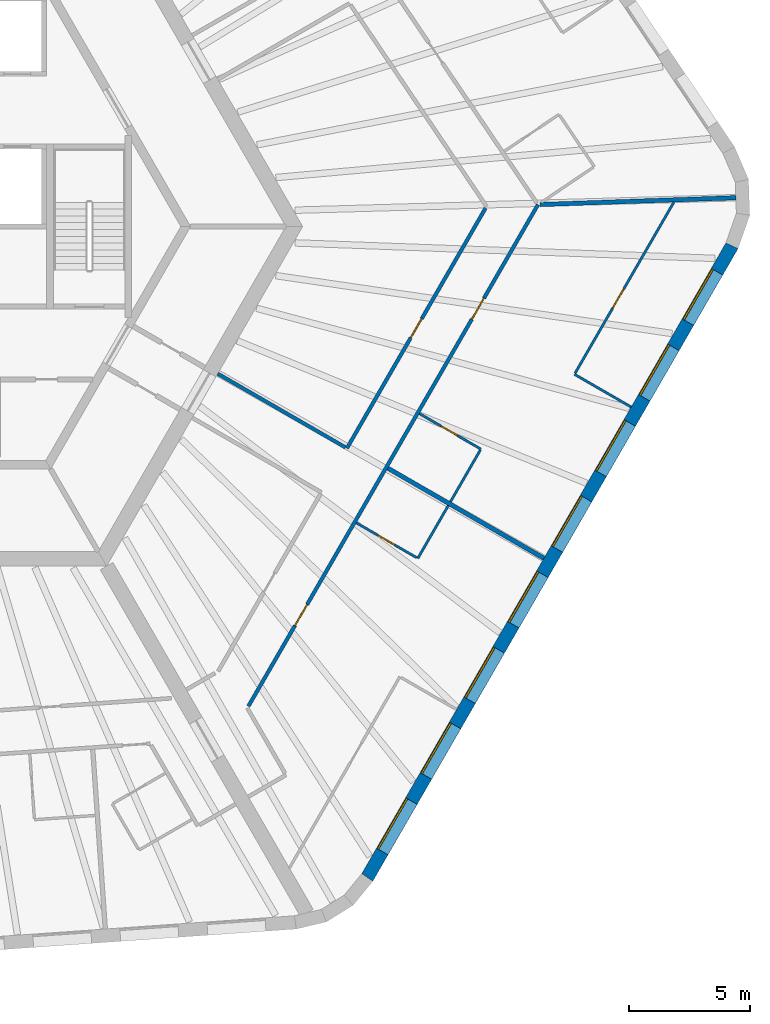
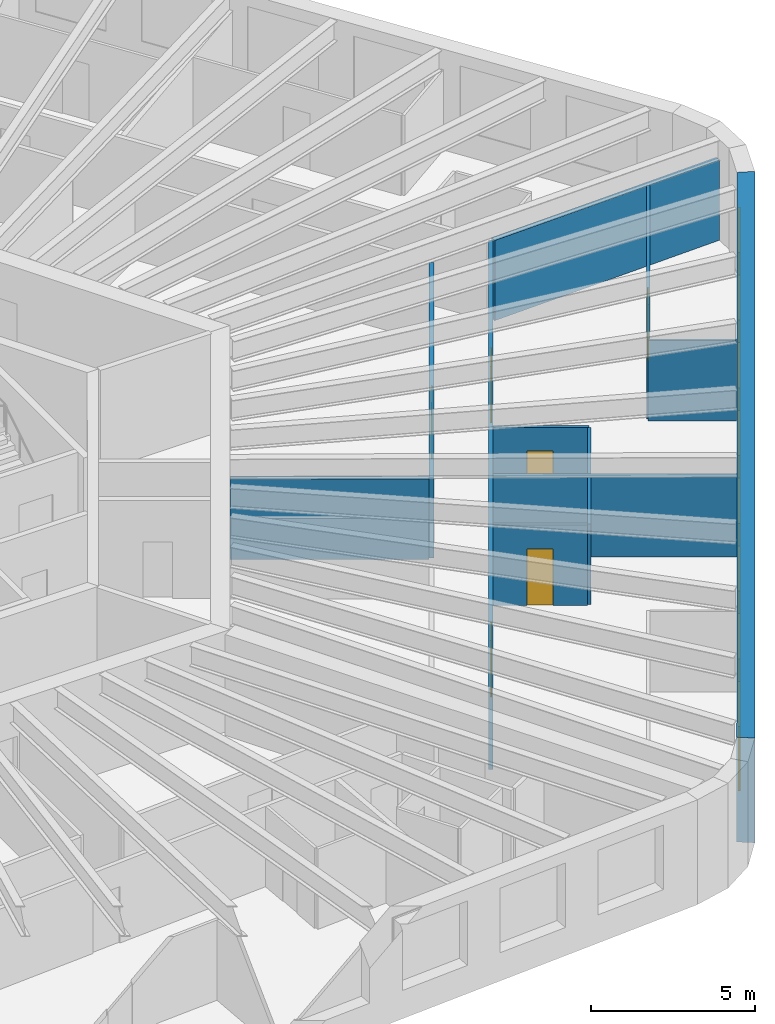
# One storey, part 6 of 12: 12 walls, 8 windows, 6 doors, 14 openings.
"""IFC4 building model written with IfcOpenShell, lengths in metres."""

from ifc_helpers import new_model, si_unit, direction, frame, frame_2d, origin, place, context, subcontext, project, spatial, polyline, rectangle, outline, extrude, material, layer, layer_set, type_object, element, fill, save


model = new_model("IFC4")

# Units and contexts
model_context = context("Model", 3, precision=1e-05, world=origin(), true_north=direction((0.0, 1.0)))
body_context = subcontext(model_context, "Body", "Model", "MODEL_VIEW")
ifc_project = project(units=[si_unit("LENGTHUNIT", "METRE"), si_unit("AREAUNIT", "SQUARE_METRE"), si_unit("VOLUMEUNIT", "CUBIC_METRE"), si_unit("PLANEANGLEUNIT", "RADIAN"), si_unit("MASSUNIT", "GRAM", prefix="KILO")], contexts=[model_context])

# Site, building, storey
site_placement = place(None, origin())
site = spatial("IfcSite", under=ifc_project, at=site_placement, CompositionType="ELEMENT")
building_placement = place(site_placement, origin())
building = spatial("IfcBuilding", under=site, at=building_placement, Name="Tarnside Tower", CompositionType="ELEMENT")
storey_placement = place(building_placement, frame((0.0, 0.0, 119.39990234375)))
storey = spatial("IfcBuildingStorey", under=building, at=storey_placement, Name="L27", CompositionType="ELEMENT", Elevation=119.39990234375)

# Wall
ifc_material_1 = material(Name="Gypsum board partition on steel studs", Category="steel")
ifc_layer_1 = layer(ifc_material_1, 0.10009765625)
ifc_layer_set_1 = layer_set([ifc_layer_1], Name="Bathroom wall 100")
wall_type_1 = type_object("IfcWallType", Name="Bathroom wall 100", PredefinedType="PARTITIONING", material=ifc_layer_set_1)
wall_1_placement = place(storey_placement, frame((22.16796875, -11.504150390625, 0.0), z_axis=(0.0, 0.0, 1.0), x_axis=(-0.50001992892, -0.866013897511, 0.0)))
element("IfcWall", 1, at=wall_1_placement, inside=storey, type_object=wall_type_1, Name="Bathroom wall 08125", PredefinedType="PARTITIONING", context=body_context, shape_type="SweptSolid", body=[
    extrude(rectangle(XDim=2.51025390625, YDim=0.10009765625, at=frame_2d((1.255126953125, 0.0))), origin(), (0.0, 0.0, 1.0), 2.98779296875),
])

# Wall, opening, door
wall_2_placement = place(storey_placement, frame((20.86962890625, -13.65283203125, 0.0), z_axis=(0.0, 0.0, 1.0), x_axis=(-0.866039941686, 0.499974818771, 0.0)))
wall_2 = element("IfcWall", 2, at=wall_2_placement, inside=storey, type_object=wall_type_1, Name="Bathroom wall 08126", PredefinedType="PARTITIONING", context=body_context, shape_type="SweptSolid", body=[
    extrude(rectangle(XDim=2.875244140625, YDim=0.10009765625, at=frame_2d((1.4375, 0.0))), origin(), (0.0, 0.0, 1.0), 2.98779296875),
])
opening_1_placement = place(wall_2_placement, frame((1.050048828125, 0.0, 0.0)))
opening_1 = element("IfcOpeningElement", 3, at=opening_1_placement, cuts=wall_2, Name="Opening D-B1", PredefinedType="OPENING", context=body_context, shape_type="SweptSolid", body=[
    extrude(rectangle(XDim=0.800048828125, YDim=2.10009765625, at=frame_2d((0.39990234375, 1.050048828125))), frame((0.0, 0.06005859375, 0.0), z_axis=(0.0, -1.0, 0.0), x_axis=(1.0, 0.0, 0.0)), (0.0, 0.0, 1.0), 0.1201171875),
])
ifc_material_2 = material(Name="Timber door leaf", Category="wood")
door_type_1 = type_object("IfcDoorType", Name="Bathroom door 800", OperationType="NOTDEFINED", PredefinedType="DOOR", material=ifc_material_2)
door_1_placement = place(opening_1_placement, origin())
door_1 = element("IfcDoor", 4, at=door_1_placement, inside=storey, type_object=door_type_1, Name="Bathroom door 08029", OperationType="SINGLE_SWING_RIGHT", OverallHeight=2.10009765625, OverallWidth=0.800048828125, PredefinedType="DOOR", context=body_context, shape_type="SweptSolid", body=[
    extrude(rectangle(XDim=0.800048828125, YDim=2.10009765625, at=frame_2d((0.39990234375, 1.050048828125))), frame((0.0, 0.02490234375, 0.0), z_axis=(0.0, -1.0, 0.0), x_axis=(1.0, 0.0, 0.0)), (0.0, 0.0, 1.0), 0.050048828125),
])
fill(opening_1, door_1)

wall_3_placement = place(storey_placement, frame((20.979736328125, -7.7119140625, 0.0), z_axis=(0.0, 0.0, 1.0), x_axis=(0.86601045545, -0.500025890382, 0.0)))
wall_3 = element("IfcWall", 5, at=wall_3_placement, inside=storey, type_object=wall_type_1, Name="Bathroom wall 08131", PredefinedType="PARTITIONING", context=body_context, shape_type="SweptSolid", body=[
    extrude(rectangle(XDim=2.925048828125, YDim=0.10009765625, at=frame_2d((1.46240234375, 0.0))), origin(), (0.0, 0.0, 1.0), 2.98779296875),
])
opening_2_placement = place(wall_3_placement, frame((1.02490234375, 0.0, 0.0)))
opening_2 = element("IfcOpeningElement", 6, at=opening_2_placement, cuts=wall_3, Name="Opening D-B1", PredefinedType="OPENING", context=body_context, shape_type="SweptSolid", body=[
    extrude(rectangle(XDim=0.800048828125, YDim=2.10009765625, at=frame_2d((0.39990234375, 1.050048828125))), frame((0.0, 0.06005859375, 0.0), z_axis=(0.0, -1.0, 0.0), x_axis=(1.0, 0.0, 0.0)), (0.0, 0.0, 1.0), 0.1201171875),
])
door_2_placement = place(opening_2_placement, origin())
door_2 = element("IfcDoor", 7, at=door_2_placement, inside=storey, type_object=door_type_1, Name="Bathroom door 08032", OperationType="SINGLE_SWING_RIGHT", OverallHeight=2.10009765625, OverallWidth=0.800048828125, PredefinedType="DOOR", context=body_context, shape_type="SweptSolid", body=[
    extrude(rectangle(XDim=0.800048828125, YDim=2.10009765625, at=frame_2d((0.39990234375, 1.050048828125))), frame((0.0, 0.02490234375, 0.0), z_axis=(0.0, -1.0, 0.0), x_axis=(1.0, 0.0, 0.0)), (0.0, 0.0, 1.0), 0.050048828125),
])
fill(opening_2, door_2)

# Wall
wall_4_placement = place(storey_placement, frame((23.48779296875, -9.2177734375, 0.0), z_axis=(0.0, 0.0, 1.0), x_axis=(-0.500003092839, -0.866023618125, 0.0)))
element("IfcWall", 8, at=wall_4_placement, inside=storey, type_object=wall_type_1, Name="Bathroom wall 08132", PredefinedType="PARTITIONING", context=body_context, shape_type="SweptSolid", body=[
    extrude(rectangle(XDim=2.4599609375, YDim=0.10009765625, at=frame_2d((1.22998046875, 0.0))), origin(), (0.0, 0.0, 1.0), 2.98779296875),
])

# Wall, openings, doors
ifc_layer_2 = layer(ifc_material_1, 0.14990234375)
ifc_layer_set_2 = layer_set([ifc_layer_2], Name="Corridor wall 150 EI 60")
wall_type_2 = type_object("IfcWallType", Name="Corridor wall 150 EI 60", PredefinedType="PARTITIONING", material=ifc_layer_set_2)
wall_5_placement = place(storey_placement, frame((13.928466796875, -19.77490234375, 0.0), z_axis=(0.0, 0.0, 1.0), x_axis=(0.50000450071, 0.866022805283, 0.0)))
wall_5 = element("IfcWall", 9, at=wall_5_placement, inside=storey, type_object=wall_type_2, Name="Corridor wall 08052", PredefinedType="PARTITIONING", context=body_context, shape_type="SweptSolid", body=[
    extrude(rectangle(XDim=23.877197265625, YDim=0.14990234375, at=frame_2d((11.9384765625, 0.0))), origin(), (0.0, 0.0, 1.0), 2.98779296875),
])
opening_3_placement = place(wall_5_placement, frame((3.843017578125, 0.0, 0.0)))
opening_3 = element("IfcOpeningElement", 10, at=opening_3_placement, cuts=wall_5, Name="Opening D-E1", PredefinedType="OPENING", context=body_context, shape_type="SweptSolid", body=[
    extrude(rectangle(XDim=1.0, YDim=2.10009765625, at=frame_2d((0.5, 1.050048828125))), frame((0.0, 0.0849609375, 0.0), z_axis=(0.0, -1.0, 0.0), x_axis=(1.0, 0.0, 0.0)), (0.0, 0.0, 1.0), 0.169921875),
])
opening_4_placement = place(wall_5_placement, frame((18.4248046875, 0.0, 0.0)))
opening_4 = element("IfcOpeningElement", 11, at=opening_4_placement, cuts=wall_5, Name="Opening D-E1", PredefinedType="OPENING", context=body_context, shape_type="SweptSolid", body=[
    extrude(rectangle(XDim=1.0, YDim=2.10009765625, at=frame_2d((0.5, 1.050048828125))), frame((0.0, 0.0849609375, 0.0), z_axis=(0.0, -1.0, 0.0), x_axis=(1.0, 0.0, 0.0)), (0.0, 0.0, 1.0), 0.169921875),
])
door_type_2 = type_object("IfcDoorType", Name="Unit entrance door 1000 FD30S", OperationType="NOTDEFINED", PredefinedType="DOOR", material=ifc_material_2)
door_3_placement = place(opening_3_placement, origin())
door_3 = element("IfcDoor", 12, at=door_3_placement, inside=storey, type_object=door_type_2, Name="Unit door 08028", OperationType="SINGLE_SWING_RIGHT", OverallHeight=2.10009765625, OverallWidth=1.0, PredefinedType="DOOR", context=body_context, shape_type="SweptSolid", body=[
    extrude(rectangle(XDim=1.0, YDim=2.10009765625, at=frame_2d((0.5, 1.050048828125))), frame((0.0, 0.02490234375, 0.0), z_axis=(0.0, -1.0, 0.0), x_axis=(1.0, 0.0, 0.0)), (0.0, 0.0, 1.0), 0.050048828125),
])
fill(opening_3, door_3)
door_4_placement = place(opening_4_placement, origin())
door_4 = element("IfcDoor", 13, at=door_4_placement, inside=storey, type_object=door_type_2, Name="Unit door 08031", OperationType="SINGLE_SWING_RIGHT", OverallHeight=2.10009765625, OverallWidth=1.0, PredefinedType="DOOR", context=body_context, shape_type="SweptSolid", body=[
    extrude(rectangle(XDim=1.0, YDim=2.10009765625, at=frame_2d((0.5, 1.050048828125))), frame((0.0, 0.02490234375, 0.0), z_axis=(0.0, -1.0, 0.0), x_axis=(1.0, 0.0, 0.0)), (0.0, 0.0, 1.0), 0.050048828125),
])
fill(opening_4, door_4)

# Wall, opening, door
wall_6_placement = place(storey_placement, frame((23.704345703125, 0.757080078125, 0.0), z_axis=(0.0, 0.0, 1.0), x_axis=(-0.500010297365, -0.866019458516, 0.0)))
wall_6 = element("IfcWall", 14, at=wall_6_placement, inside=storey, type_object=wall_type_2, Name="Corridor wall 08064", PredefinedType="PARTITIONING", context=body_context, shape_type="SweptSolid", body=[
    extrude(rectangle(XDim=11.428955078125, YDim=0.14990234375, at=frame_2d((5.71435546875, 0.0))), origin(), (0.0, 0.0, 1.0), 2.98779296875),
])
opening_5_placement = place(wall_6_placement, frame((5.264404296875, 0.0, 0.0)))
opening_5 = element("IfcOpeningElement", 15, at=opening_5_placement, cuts=wall_6, Name="Opening D-S1", PredefinedType="OPENING", context=body_context, shape_type="SweptSolid", body=[
    extrude(rectangle(XDim=0.89990234375, YDim=2.10009765625, at=frame_2d((0.449951171875, 1.050048828125))), frame((0.0, 0.0849609375, 0.0), z_axis=(0.0, -1.0, 0.0), x_axis=(1.0, 0.0, 0.0)), (0.0, 0.0, 1.0), 0.169921875),
])
door_type_3 = type_object("IfcDoorType", Name="Service room door 900 FD30S", OperationType="NOTDEFINED", PredefinedType="DOOR", material=ifc_material_2)
door_5_placement = place(opening_5_placement, origin())
door_5 = element("IfcDoor", 16, at=door_5_placement, inside=storey, type_object=door_type_3, Name="Service door 08046", OperationType="SINGLE_SWING_LEFT", OverallHeight=2.10009765625, OverallWidth=0.89990234375, PredefinedType="DOOR", context=body_context, shape_type="SweptSolid", body=[
    extrude(rectangle(XDim=0.89990234375, YDim=2.10009765625, at=frame_2d((0.449951171875, 1.050048828125))), frame((0.0, 0.02490234375, 0.0), z_axis=(0.0, -1.0, 0.0), x_axis=(1.0, 0.0, 0.0)), (0.0, 0.0, 1.0), 0.050048828125),
])
fill(opening_5, door_5)

# Walls
wall_7_placement = place(storey_placement, frame((17.9248046875, -9.103271484375, 0.0), z_axis=(0.0, 0.0, 1.0), x_axis=(-0.866013586754, 0.500020467139, 0.0)))
element("IfcWall", 17, at=wall_7_placement, inside=storey, type_object=wall_type_2, Name="Corridor wall 08065", PredefinedType="PARTITIONING", context=body_context, shape_type="SweptSolid", body=[
    extrude(rectangle(XDim=6.074951171875, YDim=0.14990234375, at=frame_2d((3.03759765625, 0.0))), origin(), (0.0, 0.0, 1.0), 2.98779296875),
])
ifc_layer_3 = layer(ifc_material_1, 0.179931640625)
ifc_layer_set_3 = layer_set([ifc_layer_3], Name="Demising wall 180 EI 60")
wall_type_3 = type_object("IfcWallType", Name="Demising wall 180 EI 60", PredefinedType="PARTITIONING", material=ifc_layer_set_3)
wall_8_placement = place(storey_placement, frame((26.10986328125, -13.67626953125, 0.0), z_axis=(0.0, 0.0, 1.0), x_axis=(-0.866014745021, 0.500018461065, 0.0)))
element("IfcWall", 18, at=wall_8_placement, inside=storey, type_object=wall_type_3, Name="Demising wall 08129", PredefinedType="PARTITIONING", context=body_context, shape_type="SweptSolid", body=[
    extrude(rectangle(XDim=7.425048828125, YDim=0.179931640625, at=frame_2d((3.71240234375, 0.0))), origin(), (0.0, 0.0, 1.0), 2.98779296875),
])
wall_9_placement = place(storey_placement, frame((34.0234375, 1.188232421875, 0.0), z_axis=(0.0, 0.0, 1.0), x_axis=(-0.999390818315, -0.03489974594, 0.0)))
element("IfcWall", 19, at=wall_9_placement, inside=storey, type_object=wall_type_3, Name="Demising wall 08135", PredefinedType="PARTITIONING", context=body_context, shape_type="SweptSolid", body=[
    extrude(rectangle(XDim=8.07275390625, YDim=0.179931640625, at=frame_2d((4.036376953125, 0.0))), origin(), (0.0, 0.0, 1.0), 2.98779296875),
])
ifc_layer_4 = layer(ifc_material_1, 0.10009765625)
ifc_layer_set_4 = layer_set([ifc_layer_4], Name="Partition 100")
wall_type_4 = type_object("IfcWallType", Name="Partition 100", PredefinedType="PARTITIONING", material=ifc_layer_set_4)
wall_10_placement = place(storey_placement, frame((29.7099609375, -7.44091796875, 0.0), z_axis=(0.0, 0.0, 1.0), x_axis=(-0.86599734893, 0.500048589285, 0.0)))
element("IfcWall", 20, at=wall_10_placement, inside=storey, type_object=wall_type_4, Name="Partition wall 08133", PredefinedType="PARTITIONING", context=body_context, shape_type="SweptSolid", body=[
    extrude(rectangle(XDim=2.699951171875, YDim=0.10009765625, at=frame_2d((1.35009765625, 0.0))), origin(), (0.0, 0.0, 1.0), 2.98779296875),
])

# Wall, opening, door
wall_11_placement = place(storey_placement, frame((27.396728515625, -6.047607421875, 0.0), z_axis=(0.0, 0.0, 1.0), x_axis=(0.49998354646, 0.866034903032, 0.0)))
wall_11 = element("IfcWall", 21, at=wall_11_placement, inside=storey, type_object=wall_type_4, Name="Partition wall 08134", PredefinedType="PARTITIONING", context=body_context, shape_type="SweptSolid", body=[
    extrude(rectangle(XDim=8.148193359375, YDim=0.10009765625, at=frame_2d((4.07421875, 0.0))), origin(), (0.0, 0.0, 1.0), 2.98779296875),
])
opening_6_placement = place(wall_11_placement, frame((3.10009765625, 0.0, 0.0)))
opening_6 = element("IfcOpeningElement", 22, at=opening_6_placement, cuts=wall_11, Name="Opening D-I1", PredefinedType="OPENING", context=body_context, shape_type="SweptSolid", body=[
    extrude(rectangle(XDim=0.89990234375, YDim=2.10009765625, at=frame_2d((0.449951171875, 1.050048828125))), frame((0.0, 0.06005859375, 0.0), z_axis=(0.0, -1.0, 0.0), x_axis=(1.0, 0.0, 0.0)), (0.0, 0.0, 1.0), 0.1201171875),
])
door_type_4 = type_object("IfcDoorType", Name="Internal door 900", OperationType="NOTDEFINED", PredefinedType="DOOR", material=ifc_material_2)
door_6_placement = place(opening_6_placement, origin())
door_6 = element("IfcDoor", 23, at=door_6_placement, inside=storey, type_object=door_type_4, Name="Internal door 08033", OperationType="SINGLE_SWING_RIGHT", OverallHeight=2.10009765625, OverallWidth=0.89990234375, PredefinedType="DOOR", context=body_context, shape_type="SweptSolid", body=[
    extrude(rectangle(XDim=0.89990234375, YDim=2.10009765625, at=frame_2d((0.449951171875, 1.050048828125))), frame((0.0, 0.02490234375, 0.0), z_axis=(0.0, -1.0, 0.0), x_axis=(1.0, 0.0, 0.0)), (0.0, 0.0, 1.0), 0.050048828125),
])
fill(opening_6, door_6)

# Wall, openings, windows
ifc_material_3 = material(Name="Facing brick", Category="masonry")
ifc_layer_5 = layer(ifc_material_3, 0.10205078125)
ifc_material_4 = material(Name="Concrete C60/75 precast", Category="concrete")
ifc_layer_6 = layer(ifc_material_4, 0.347900390625)
ifc_material_5 = material(Name="Mineral wool insulation")
ifc_layer_7 = layer(ifc_material_5, 0.10009765625)
ifc_layer_set_5 = layer_set([ifc_layer_5, ifc_layer_6, ifc_layer_7], Name="Tube wall 550 brick faced")
wall_type_5 = type_object("IfcWallType", Name="Tube wall 550 brick faced", PredefinedType="SOLIDWALL", material=ifc_layer_set_5)
wall_12_placement = place(storey_placement, frame((18.830322265625, -26.834716796875, -0.14990234375), z_axis=(0.0, 0.0, 1.0), x_axis=(0.500003800416, 0.866023209602, 0.0)))
wall_12 = element("IfcWall", 24, at=wall_12_placement, inside=storey, type_object=wall_type_5, Name="Tube wall L27 F5 flush 16", PredefinedType="SOLIDWALL", context=body_context, shape_type="SweptSolid", body=[
    extrude(outline(polyline([(-0.0224609375, -0.27490234375), (30.0966796875, -0.27490234375), (30.04541015625, 0.27490234375), (0.0224609375, 0.27490234375), (-0.0224609375, -0.27490234375)])), origin(), (0.0, 0.0, 1.0), 3.89990234375),
])
opening_7_placement = place(wall_12_placement, frame((1.235595703125, 0.0, 1.050048828125)))
opening_7 = element("IfcOpeningElement", 25, at=opening_7_placement, cuts=wall_12, Name="Opening WH", PredefinedType="OPENING", context=body_context, shape_type="SweptSolid", body=[
    extrude(rectangle(XDim=2.39990234375, YDim=2.39990234375, at=frame_2d((1.199951171875, 1.199951171875))), frame((0.0, 0.28515625, 0.0), z_axis=(0.0, -1.0, 0.0), x_axis=(1.0, 0.0, 0.0)), (0.0, 0.0, 1.0), 0.570068359375),
])
opening_8_placement = place(wall_12_placement, frame((4.83544921875, 0.0, 1.050048828125)))
opening_8 = element("IfcOpeningElement", 26, at=opening_8_placement, cuts=wall_12, Name="Opening WH", PredefinedType="OPENING", context=body_context, shape_type="SweptSolid", body=[
    extrude(rectangle(XDim=2.39990234375, YDim=2.39990234375, at=frame_2d((1.199951171875, 1.199951171875))), frame((0.0, 0.28515625, 0.0), z_axis=(0.0, -1.0, 0.0), x_axis=(1.0, 0.0, 0.0)), (0.0, 0.0, 1.0), 0.570068359375),
])
opening_9_placement = place(wall_12_placement, frame((8.435546875, 0.0, 1.050048828125)))
opening_9 = element("IfcOpeningElement", 27, at=opening_9_placement, cuts=wall_12, Name="Opening WH", PredefinedType="OPENING", context=body_context, shape_type="SweptSolid", body=[
    extrude(rectangle(XDim=2.39990234375, YDim=2.39990234375, at=frame_2d((1.199951171875, 1.199951171875))), frame((0.0, 0.28515625, 0.0), z_axis=(0.0, -1.0, 0.0), x_axis=(1.0, 0.0, 0.0)), (0.0, 0.0, 1.0), 0.570068359375),
])
opening_10_placement = place(wall_12_placement, frame((12.035400390625, 0.0, 1.050048828125)))
opening_10 = element("IfcOpeningElement", 28, at=opening_10_placement, cuts=wall_12, Name="Opening WH", PredefinedType="OPENING", context=body_context, shape_type="SweptSolid", body=[
    extrude(rectangle(XDim=2.39990234375, YDim=2.39990234375, at=frame_2d((1.199951171875, 1.199951171875))), frame((0.0, 0.28515625, 0.0), z_axis=(0.0, -1.0, 0.0), x_axis=(1.0, 0.0, 0.0)), (0.0, 0.0, 1.0), 0.570068359375),
])
opening_11_placement = place(wall_12_placement, frame((15.635498046875, 0.0, 1.050048828125)))
opening_11 = element("IfcOpeningElement", 29, at=opening_11_placement, cuts=wall_12, Name="Opening WH", PredefinedType="OPENING", context=body_context, shape_type="SweptSolid", body=[
    extrude(rectangle(XDim=2.39990234375, YDim=2.39990234375, at=frame_2d((1.199951171875, 1.199951171875))), frame((0.0, 0.28515625, 0.0), z_axis=(0.0, -1.0, 0.0), x_axis=(1.0, 0.0, 0.0)), (0.0, 0.0, 1.0), 0.570068359375),
])
opening_12_placement = place(wall_12_placement, frame((19.235595703125, 0.0, 1.050048828125)))
opening_12 = element("IfcOpeningElement", 30, at=opening_12_placement, cuts=wall_12, Name="Opening WH", PredefinedType="OPENING", context=body_context, shape_type="SweptSolid", body=[
    extrude(rectangle(XDim=2.39990234375, YDim=2.39990234375, at=frame_2d((1.199951171875, 1.199951171875))), frame((0.0, 0.28515625, 0.0), z_axis=(0.0, -1.0, 0.0), x_axis=(1.0, 0.0, 0.0)), (0.0, 0.0, 1.0), 0.570068359375),
])
opening_13_placement = place(wall_12_placement, frame((22.83544921875, 0.0, 1.050048828125)))
opening_13 = element("IfcOpeningElement", 31, at=opening_13_placement, cuts=wall_12, Name="Opening WH", PredefinedType="OPENING", context=body_context, shape_type="SweptSolid", body=[
    extrude(rectangle(XDim=2.39990234375, YDim=2.39990234375, at=frame_2d((1.199951171875, 1.199951171875))), frame((0.0, 0.28515625, 0.0), z_axis=(0.0, -1.0, 0.0), x_axis=(1.0, 0.0, 0.0)), (0.0, 0.0, 1.0), 0.570068359375),
])
opening_14_placement = place(wall_12_placement, frame((26.435546875, 0.0, 1.050048828125)))
opening_14 = element("IfcOpeningElement", 32, at=opening_14_placement, cuts=wall_12, Name="Opening WH", PredefinedType="OPENING", context=body_context, shape_type="SweptSolid", body=[
    extrude(rectangle(XDim=2.39990234375, YDim=2.39990234375, at=frame_2d((1.199951171875, 1.199951171875))), frame((0.0, 0.28515625, 0.0), z_axis=(0.0, -1.0, 0.0), x_axis=(1.0, 0.0, 0.0)), (0.0, 0.0, 1.0), 0.570068359375),
])
ifc_material_6 = material(Name="Aluminium-framed double glazing", Category="aluminium")
window_type = type_object("IfcWindowType", Name="Hotel window 2400 x 2400", PartitioningType="DOUBLE_PANEL_VERTICAL", PredefinedType="WINDOW", material=ifc_material_6)
window_1_placement = place(opening_7_placement, frame((0.0, 0.205078125, 0.0)))
window_1 = element("IfcWindow", 33, at=window_1_placement, inside=storey, type_object=window_type, Name="E.WN.L27.F5.00", OverallHeight=2.39990234375, OverallWidth=2.39990234375, PartitioningType="DOUBLE_PANEL_VERTICAL", PredefinedType="WINDOW", context=body_context, shape_type="SweptSolid", body=[
    extrude(rectangle(XDim=2.39990234375, YDim=2.39990234375, at=frame_2d((1.199951171875, 1.199951171875))), frame((0.0, 0.030029296875, 0.0), z_axis=(0.0, -1.0, 0.0), x_axis=(1.0, 0.0, 0.0)), (0.0, 0.0, 1.0), 0.06005859375),
])
fill(opening_7, window_1)
window_2_placement = place(opening_8_placement, frame((0.0, 0.205078125, 0.0)))
window_2 = element("IfcWindow", 34, at=window_2_placement, inside=storey, type_object=window_type, Name="E.WN.L27.F5.01", OverallHeight=2.39990234375, OverallWidth=2.39990234375, PartitioningType="DOUBLE_PANEL_VERTICAL", PredefinedType="WINDOW", context=body_context, shape_type="SweptSolid", body=[
    extrude(rectangle(XDim=2.39990234375, YDim=2.39990234375, at=frame_2d((1.199951171875, 1.199951171875))), frame((0.0, 0.030029296875, 0.0), z_axis=(0.0, -1.0, 0.0), x_axis=(1.0, 0.0, 0.0)), (0.0, 0.0, 1.0), 0.06005859375),
])
fill(opening_8, window_2)
window_3_placement = place(opening_9_placement, frame((0.0, 0.205078125, 0.0)))
window_3 = element("IfcWindow", 35, at=window_3_placement, inside=storey, type_object=window_type, Name="E.WN.L27.F5.02", OverallHeight=2.39990234375, OverallWidth=2.39990234375, PartitioningType="DOUBLE_PANEL_VERTICAL", PredefinedType="WINDOW", context=body_context, shape_type="SweptSolid", body=[
    extrude(rectangle(XDim=2.39990234375, YDim=2.39990234375, at=frame_2d((1.199951171875, 1.199951171875))), frame((0.0, 0.030029296875, 0.0), z_axis=(0.0, -1.0, 0.0), x_axis=(1.0, 0.0, 0.0)), (0.0, 0.0, 1.0), 0.06005859375),
])
fill(opening_9, window_3)
window_4_placement = place(opening_10_placement, frame((0.0, 0.205078125, 0.0)))
window_4 = element("IfcWindow", 36, at=window_4_placement, inside=storey, type_object=window_type, Name="E.WN.L27.F5.03", OverallHeight=2.39990234375, OverallWidth=2.39990234375, PartitioningType="DOUBLE_PANEL_VERTICAL", PredefinedType="WINDOW", context=body_context, shape_type="SweptSolid", body=[
    extrude(rectangle(XDim=2.39990234375, YDim=2.39990234375, at=frame_2d((1.199951171875, 1.199951171875))), frame((0.0, 0.030029296875, 0.0), z_axis=(0.0, -1.0, 0.0), x_axis=(1.0, 0.0, 0.0)), (0.0, 0.0, 1.0), 0.06005859375),
])
fill(opening_10, window_4)
window_5_placement = place(opening_11_placement, frame((0.0, 0.205078125, 0.0)))
window_5 = element("IfcWindow", 37, at=window_5_placement, inside=storey, type_object=window_type, Name="E.WN.L27.F5.04", OverallHeight=2.39990234375, OverallWidth=2.39990234375, PartitioningType="DOUBLE_PANEL_VERTICAL", PredefinedType="WINDOW", context=body_context, shape_type="SweptSolid", body=[
    extrude(rectangle(XDim=2.39990234375, YDim=2.39990234375, at=frame_2d((1.199951171875, 1.199951171875))), frame((0.0, 0.030029296875, 0.0), z_axis=(0.0, -1.0, 0.0), x_axis=(1.0, 0.0, 0.0)), (0.0, 0.0, 1.0), 0.06005859375),
])
fill(opening_11, window_5)
window_6_placement = place(opening_12_placement, frame((0.0, 0.205078125, 0.0)))
window_6 = element("IfcWindow", 38, at=window_6_placement, inside=storey, type_object=window_type, Name="E.WN.L27.F5.05", OverallHeight=2.39990234375, OverallWidth=2.39990234375, PartitioningType="DOUBLE_PANEL_VERTICAL", PredefinedType="WINDOW", context=body_context, shape_type="SweptSolid", body=[
    extrude(rectangle(XDim=2.39990234375, YDim=2.39990234375, at=frame_2d((1.199951171875, 1.199951171875))), frame((0.0, 0.030029296875, 0.0), z_axis=(0.0, -1.0, 0.0), x_axis=(1.0, 0.0, 0.0)), (0.0, 0.0, 1.0), 0.06005859375),
])
fill(opening_12, window_6)
window_7_placement = place(opening_13_placement, frame((0.0, 0.205078125, 0.0)))
window_7 = element("IfcWindow", 39, at=window_7_placement, inside=storey, type_object=window_type, Name="E.WN.L27.F5.06", OverallHeight=2.39990234375, OverallWidth=2.39990234375, PartitioningType="DOUBLE_PANEL_VERTICAL", PredefinedType="WINDOW", context=body_context, shape_type="SweptSolid", body=[
    extrude(rectangle(XDim=2.39990234375, YDim=2.39990234375, at=frame_2d((1.199951171875, 1.199951171875))), frame((0.0, 0.030029296875, 0.0), z_axis=(0.0, -1.0, 0.0), x_axis=(1.0, 0.0, 0.0)), (0.0, 0.0, 1.0), 0.06005859375),
])
fill(opening_13, window_7)
window_8_placement = place(opening_14_placement, frame((0.0, 0.205078125, 0.0)))
window_8 = element("IfcWindow", 40, at=window_8_placement, inside=storey, type_object=window_type, Name="E.WN.L27.F5.07", OverallHeight=2.39990234375, OverallWidth=2.39990234375, PartitioningType="DOUBLE_PANEL_VERTICAL", PredefinedType="WINDOW", context=body_context, shape_type="SweptSolid", body=[
    extrude(rectangle(XDim=2.39990234375, YDim=2.39990234375, at=frame_2d((1.199951171875, 1.199951171875))), frame((0.0, 0.030029296875, 0.0), z_axis=(0.0, -1.0, 0.0), x_axis=(1.0, 0.0, 0.0)), (0.0, 0.0, 1.0), 0.06005859375),
])
fill(opening_14, window_8)

save(model, "model.ifc")
